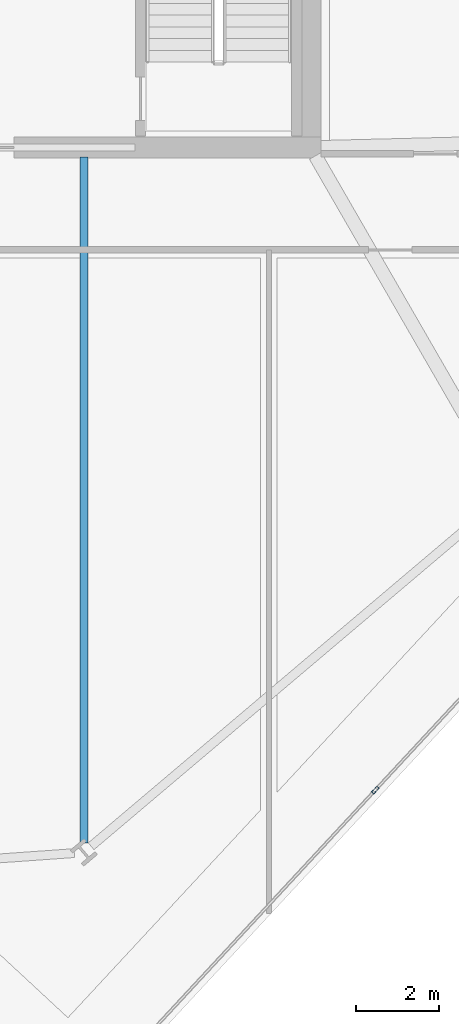
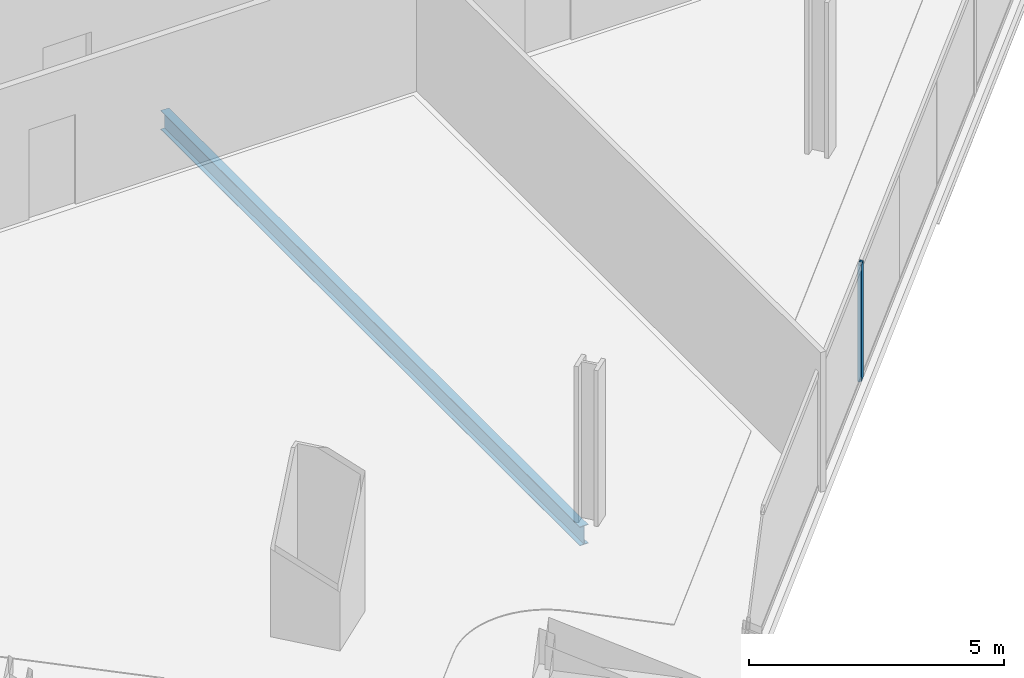
# One storey, part 7 of 32: 1 beam, 1 member, 1 element without a shape of its own.
"""IFC4 building model written with IfcOpenShell, lengths in metres."""

import ifcopenshell
import ifcopenshell.guid

model = None  # the IFC model being written
_history = None  # IfcOwnerHistory: only IFC2X3 demands one
_inside = {}  # id of a spatial element -> (the spatial element, [elements in it])
_under = {}  # id of a project, library or spatial element -> (it, [spatial elements below it])
_declared = {}  # id of a project -> (the project, [libraries it declares])
_typed = {}  # id of a type object -> (the type object, [elements of that type])
_made_of = {}  # id of a material, layer set ... -> (it, [elements and type objects made of it])


def new_model(schema):
    """Start an empty IFC model of exactly this schema.

    Asked for "IFC4X3", IfcOpenShell would pick the latest addendum, in which some entities
    have other attributes; the version numbers below select the first issue.
    IFC2X3 requires an IfcOwnerHistory on every rooted entity: one is made here for all.
    """
    global model, _history
    if schema == "IFC4X3":
        model = ifcopenshell.file(schema_version=(4, 3, 0, 0))
    else:
        model = ifcopenshell.file(schema=schema)
    _inside.clear()
    _under.clear()
    _declared.clear()
    _typed.clear()
    _made_of.clear()
    _history = None
    if model.schema == "IFC2X3":
        org = make("IfcOrganization", Name="unknown")
        user = make(
            "IfcPersonAndOrganization",
            ThePerson=make("IfcPerson", FamilyName="unknown"),
            TheOrganization=org,
        )
        app = make(
            "IfcApplication",
            ApplicationDeveloper=org,
            Version="unknown",
            ApplicationFullName="unknown",
            ApplicationIdentifier="unknown",
        )
        _history = make(
            "IfcOwnerHistory",
            OwningUser=user,
            OwningApplication=app,
            ChangeAction="ADDED",
            CreationDate=0,
        )
    return model


def make(cls, **values):
    """One entity of the class cls with the attributes given. An attribute that is None is left unset."""
    return model.create_entity(
        cls, **{name: value for name, value in values.items() if value is not None}
    )


def rooted(cls, **values):
    """An entity with a GlobalId (a new one), such as an element, a storey or a relation."""
    return make(cls, GlobalId=ifcopenshell.guid.new(), OwnerHistory=_history, **values)


def si_unit(unit_type, name, prefix=None):
    """IfcSIUnit, for example si_unit("LENGTHUNIT", "METRE", prefix="MILLI")."""
    return make("IfcSIUnit", UnitType=unit_type, Prefix=prefix, Name=name)


def assignment(units):
    """IfcUnitAssignment: the units of a project."""
    return None if units is None else make("IfcUnitAssignment", Units=units)


def point(xyz):
    """IfcCartesianPoint."""
    return None if xyz is None else make("IfcCartesianPoint", Coordinates=xyz)


def direction(xyz):
    """IfcDirection."""
    return None if xyz is None else make("IfcDirection", DirectionRatios=xyz)


def frame(location, z_axis=None, x_axis=None):
    """IfcAxis2Placement3D, a coordinate frame: its origin and axes. An axis left out is left unset."""
    return make(
        "IfcAxis2Placement3D",
        Location=point(location),
        Axis=direction(z_axis),
        RefDirection=direction(x_axis),
    )


def frame_2d(location, x_axis=None):
    """IfcAxis2Placement2D, a coordinate frame in the plane: its origin and x axis."""
    return make(
        "IfcAxis2Placement2D", Location=point(location), RefDirection=direction(x_axis)
    )


def origin():
    """The frame at (0, 0, 0) with its axes left unset."""
    return frame((0.0, 0.0, 0.0))


def origin_2d():
    """The frame at (0, 0) in the plane with its x axis left unset."""
    return frame_2d((0.0, 0.0))


def place(relative_to, where):
    """IfcLocalPlacement: puts the frame where relative to a parent placement (None: the world)."""
    return make(
        "IfcLocalPlacement", PlacementRelTo=relative_to, RelativePlacement=where
    )


def context(
    kind, dimensions, precision=None, world=None, true_north=None, identifier=None
):
    """IfcGeometricRepresentationContext, for example the 3D "Model" context."""
    return make(
        "IfcGeometricRepresentationContext",
        ContextIdentifier=identifier,
        ContextType=kind,
        CoordinateSpaceDimension=dimensions,
        Precision=precision,
        WorldCoordinateSystem=world,
        TrueNorth=true_north,
    )


def subcontext(parent, identifier, kind, view, scale=None):
    """IfcGeometricRepresentationSubContext, for example "Body" below "Model"."""
    return make(
        "IfcGeometricRepresentationSubContext",
        ContextIdentifier=identifier,
        ContextType=kind,
        ParentContext=parent,
        TargetScale=scale,
        TargetView=view,
    )


def project(units=None, contexts=None):
    """IfcProject with its units and contexts."""
    return rooted(
        "IfcProject",
        Name="project",
        RepresentationContexts=contexts,
        UnitsInContext=assignment(units),
    )


def spatial(cls, under=None, at=None, **own):
    """A site, building, storey or space (cls), placed at a placement, below another one or the project."""
    s = rooted(cls, ObjectPlacement=at, **own)
    if under is not None:
        _under.setdefault(under.id(), (under, []))[1].append(s)
    return s


def profile(cls, at=None, kind="AREA", **sizes):
    """A parametric profile (cls). Its sizes go by their IFC names, for example OverallWidth=200.0."""
    return make(cls, ProfileType=kind, Position=at, **sizes)


def hollow_rectangle(**sizes):
    """IfcRectangleHollowProfileDef."""
    return profile("IfcRectangleHollowProfileDef", **sizes)


def i_section(**sizes):
    """IfcIShapeProfileDef."""
    return profile("IfcIShapeProfileDef", **sizes)


def extrude(swept, where, along, depth):
    """IfcExtrudedAreaSolid: the profile swept, set in the frame where, extruded along a direction by depth."""
    return make(
        "IfcExtrudedAreaSolid",
        SweptArea=swept,
        Position=where,
        ExtrudedDirection=direction(along),
        Depth=depth,
    )


def shape(context_of_items, identifier, shape_type, items):
    """IfcShapeRepresentation: the items that make up one representation, for example the "Body"."""
    return make(
        "IfcShapeRepresentation",
        ContextOfItems=context_of_items,
        RepresentationIdentifier=identifier,
        RepresentationType=shape_type,
        Items=items,
    )


def material(Name=None, Category=None):
    """IfcMaterial."""
    return make("IfcMaterial", Name=Name, Category=Category)


def material_profile(
    of_material, cross_section, Name=None, Category=None, Priority=None
):
    """IfcMaterialProfile: a cross section and its material."""
    return make(
        "IfcMaterialProfile",
        Name=Name,
        Material=of_material,
        Profile=cross_section,
        Priority=Priority,
        Category=Category,
    )


def profile_set(profiles, Name=None, composite=None):
    """IfcMaterialProfileSet."""
    return make(
        "IfcMaterialProfileSet",
        Name=Name,
        MaterialProfiles=profiles,
        CompositeProfile=composite,
    )


def made_of(thing, what):
    """Note that an element or type object is made of a material, layer set ...; save() writes the relation."""
    if what is not None:
        _made_of.setdefault(what.id(), (what, []))[1].append(thing)
    return thing


def type_object(cls, material=None, **own):
    """A type object (cls), such as IfcWallType, which elements share."""
    return made_of(rooted(cls, **own), material)


def element(
    cls,
    number,
    at=None,
    inside=None,
    cuts=None,
    type_object=None,
    material=None,
    context=None,
    identifier="Body",
    shape_type=None,
    held_by="IfcProductDefinitionShape",
    body=None,
    shapes=None,
    **own,
):
    """One element of the class cls, such as IfcWall. Its Tag is "e" and its number.

    at: its placement. inside: the storey or other place that contains it. cuts: it is an
    opening in that element (IfcRelVoidsElement). A single representation is given by context,
    identifier, shape_type and body (its items); several are given by shapes. held_by: the class
    of the entity that holds the representations. save() writes the other relations.
    """
    e = rooted(cls, Tag="e%d" % number, ObjectPlacement=at, **own)
    if body is not None:
        shapes = [shape(context, identifier, shape_type, body)]
    if shapes is not None:
        e.Representation = make(held_by, Representations=shapes)
    if inside is not None:
        _inside.setdefault(inside.id(), (inside, []))[1].append(e)
    if cuts is not None:
        rooted(
            "IfcRelVoidsElement", RelatingBuildingElement=cuts, RelatedOpeningElement=e
        )
    if type_object is not None:
        _typed.setdefault(type_object.id(), (type_object, []))[1].append(e)
    return made_of(e, material)


def aggregate(whole, parts):
    """IfcRelAggregates: a whole, such as a stair, and the parts it consists of."""
    return rooted("IfcRelAggregates", RelatingObject=whole, RelatedObjects=parts)


def save(model, path):
    """Write the relations noted so far, then the file.

    IfcRelAggregates (storeys below a building ...), IfcRelContainedInSpatialStructure (elements
    in a storey), IfcRelDefinesByType, IfcRelAssociatesMaterial and IfcRelDeclares: one each for
    every whole, place, type object, material and project.
    """
    for whole, parts in _under.values():
        aggregate(whole, parts)
    for where, things in _inside.values():
        rooted(
            "IfcRelContainedInSpatialStructure",
            RelatedElements=things,
            RelatingStructure=where,
        )
    for kind, things in _typed.values():
        rooted("IfcRelDefinesByType", RelatedObjects=things, RelatingType=kind)
    for what, things in _made_of.values():
        rooted("IfcRelAssociatesMaterial", RelatedObjects=things, RelatingMaterial=what)
    for by, libraries in _declared.values():
        rooted("IfcRelDeclares", RelatingContext=by, RelatedDefinitions=libraries)
    model.write(path)


model = new_model("IFC4")

# Units and contexts
model_context = context("Model", 3, precision=1e-05, world=origin(), true_north=direction((0.0, 1.0)))
body_context = subcontext(model_context, "Body", "Model", "MODEL_VIEW")
ifc_project = project(units=[si_unit("LENGTHUNIT", "METRE"), si_unit("AREAUNIT", "SQUARE_METRE"), si_unit("VOLUMEUNIT", "CUBIC_METRE"), si_unit("PLANEANGLEUNIT", "RADIAN"), si_unit("MASSUNIT", "GRAM", prefix="KILO")], contexts=[model_context])

# Site, building, storey
site_placement = place(None, origin())
site = spatial("IfcSite", under=ifc_project, at=site_placement, CompositionType="ELEMENT")
building_placement = place(site_placement, origin())
building = spatial("IfcBuilding", under=site, at=building_placement, Name="Haldenkirk Collegiate Tower", CompositionType="ELEMENT")
storey_placement = place(building_placement, frame((0.0, 0.0, 185.699951171875)))
storey = spatial("IfcBuildingStorey", under=building, at=storey_placement, Name="L46", CompositionType="ELEMENT", Elevation=185.699951171875)

# Beam
ifc_material_1 = material(Name="Steel ASTM A992 Grade 50", Category="steel")
ifc_material_profile_1 = material_profile(ifc_material_1, i_section(OverallWidth=0.18994140625, OverallDepth=0.45703125, WebThickness=0.009033203125, FlangeThickness=0.014404296875, at=origin_2d()), Name="W18X50")
ifc_profile_set_1 = profile_set([ifc_material_profile_1], Name="Steel ASTM A992 Grade 50")
beam_type = type_object("IfcBeamType", Name="BM-JOIST-W18X50", PredefinedType="JOIST", material=ifc_profile_set_1)
beam_placement = place(storey_placement, frame((39.568603515625, 1.342529296875, -0.5185546875), z_axis=(0.0, 1.0, 0.0), x_axis=(-1.0, 0.0, 0.0)))
element("IfcBeam", 1, at=beam_placement, inside=storey, type_object=beam_type, Name="L46 composite floor joist 05", PredefinedType="JOIST", context=body_context, shape_type="SweptSolid", body=[
    extrude(i_section(OverallWidth=0.18994140625, OverallDepth=0.45703125, WebThickness=0.009033203125, FlangeThickness=0.014404296875, at=origin_2d()), origin(), (0.0, 0.0, 1.0), 16.427490234375),
])

# Curtain wall, member
ifc_material_2 = material(Name="Anodised architectural bronze aluminium", Category="aluminium")
curtain_wall_type = type_object("IfcCurtainWallType", Name="CW-SYS2-CONCAVE", PredefinedType="USERDEFINED", material=ifc_material_2)
curtain_wall_placement = place(storey_placement, origin())
curtain_wall = element("IfcCurtainWall", 2, at=curtain_wall_placement, inside=storey, type_object=curtain_wall_type, Name="L46 South concave recessed bronze-anodised curtain wall", ObjectType="UNITISED CURTAIN WALL", PredefinedType="USERDEFINED")
ifc_material_profile_2 = material_profile(ifc_material_2, hollow_rectangle(XDim=0.074951171875, YDim=0.18994140625, WallThickness=0.0048828125, at=origin_2d()), Name="CW-MUL-02")
ifc_profile_set_2 = profile_set([ifc_material_profile_2], Name="Anodised architectural bronze aluminium")
member_type = type_object("IfcMemberType", Name="CW-MUL-02", PredefinedType="MULLION", material=ifc_profile_set_2)
member_placement = place(storey_placement, frame((46.55126953125, 2.6064453125, 0.0), z_axis=(0.0, 0.0, 1.0), x_axis=(0.733137779244, -0.680080139869, 0.0)))
member = element("IfcMember", 3, at=member_placement, type_object=member_type, Name="CW-02 mullion 4", PredefinedType="MULLION", context=body_context, shape_type="SweptSolid", body=[
    extrude(hollow_rectangle(XDim=0.074951171875, YDim=0.18994140625, WallThickness=0.0048828125, at=origin_2d()), origin(), (0.0, 0.0, 1.0), 2.791015625),
])
aggregate(curtain_wall, [member])

save(model, "model.ifc")
